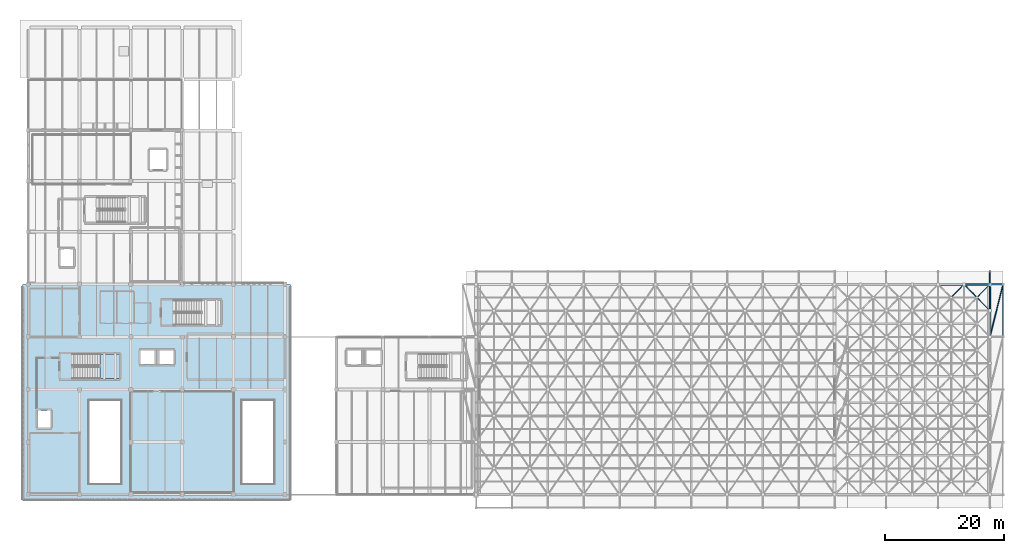
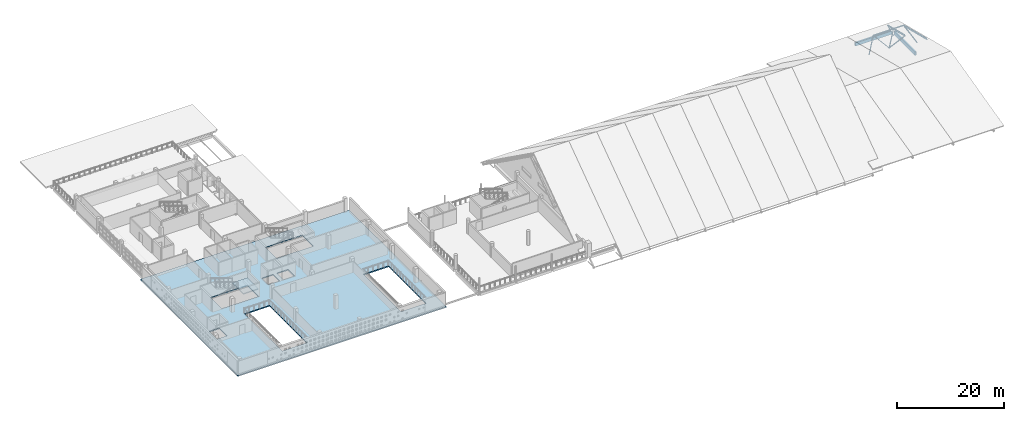
# One storey, part 33 of 55: 11 members, 2 beams, 2 slabs, 1 element without a shape of its own.
"""IFC4 building model written with IfcOpenShell, lengths in metres."""

from ifc_helpers import new_model, si_unit, direction, frame, origin, origin_2d, place, context, subcontext, project, spatial, polyline, rectangle, hollow_rectangle, hollow_circle, i_section, outline, extrude, material, layer, layer_set, material_profile, profile_set, type_object, element, aggregate, save


model = new_model("IFC4")

# Units and contexts
model_context = context("Model", 3, precision=1e-05, world=origin(), true_north=direction((0.0, 1.0)))
body_context = subcontext(model_context, "Body", "Model", "MODEL_VIEW")
ifc_project = project(units=[si_unit("LENGTHUNIT", "METRE"), si_unit("AREAUNIT", "SQUARE_METRE"), si_unit("VOLUMEUNIT", "CUBIC_METRE"), si_unit("PLANEANGLEUNIT", "RADIAN"), si_unit("MASSUNIT", "GRAM", prefix="KILO")], contexts=[model_context])

# Site, building, storey
site_placement = place(None, origin())
site = spatial("IfcSite", under=ifc_project, at=site_placement, CompositionType="ELEMENT")
building_placement = place(site_placement, origin())
building = spatial("IfcBuilding", under=site, at=building_placement, Name="Varnakota Cinema and Media Centre", CompositionType="ELEMENT")
storey_placement = place(building_placement, frame((0.0, 0.0, 15.60009765625)))
storey = spatial("IfcBuildingStorey", under=building, at=storey_placement, Name="L04", CompositionType="ELEMENT", Elevation=15.60009765625)

# Beams
ifc_material_1 = material(Name="Concrete M40", Category="concrete")
ifc_material_profile_1 = material_profile(ifc_material_1, rectangle(XDim=0.35009765625, YDim=0.75, at=origin_2d()), Name="RCB 350x750")
ifc_profile_set_1 = profile_set([ifc_material_profile_1], Name="Concrete M40")
beam_type = type_object("IfcBeamType", Name="BM-SP-350x750", PredefinedType="SPANDREL", material=ifc_profile_set_1)
beam_1_placement = place(storey_placement, frame((152.72509765625, 35.199951171875, -0.375), z_axis=(1.0, 0.0, 0.0), x_axis=(0.0, 1.0, 0.0)))
element("IfcBeam", 1, at=beam_1_placement, inside=storey, type_object=beam_type, Name="L04 girder X-Y/5", PredefinedType="SPANDREL", context=body_context, shape_type="SweptSolid", body=[
    extrude(rectangle(XDim=0.35009765625, YDim=0.75, at=origin_2d()), origin(), (0.0, 0.0, 1.0), 7.849853515625),
])
beam_2_placement = place(storey_placement, frame((161.0, 26.875, -0.375), z_axis=(0.0, 1.0, 0.0), x_axis=(-1.0, 0.0, 0.0)))
element("IfcBeam", 2, at=beam_2_placement, inside=storey, type_object=beam_type, Name="L04 girder Y/4-5", PredefinedType="SPANDREL", context=body_context, shape_type="SweptSolid", body=[
    extrude(rectangle(XDim=0.35009765625, YDim=0.75, at=origin_2d()), origin(), (0.0, 0.0, 1.0), 7.85009765625),
])

# Members
ifc_material_2 = material(Name="Structural steel S355 (YSt 355)", Category="steel")
ifc_material_profile_2 = material_profile(ifc_material_2, hollow_circle(Radius=0.06982421875, WallThickness=0.006103515625, at=origin_2d()), Name="CHS 139.7x6.0")
ifc_profile_set_2 = profile_set([ifc_material_profile_2], Name="Structural steel S355 (YSt 355)")
member_type_1 = type_object("IfcMemberType", Name="MEM-ST-CHS139_7x6_0", PredefinedType="CHORD", material=ifc_profile_set_2)
member_1_placement = place(storey_placement, frame((154.5, 33.0, -2.050048828125), z_axis=(0.562747911139, 0.571371428425, 0.597368796714), x_axis=(-0.712462822052, 0.701709859695, 0.0)))
element("IfcMember", 3, at=member_1_placement, inside=storey, type_object=member_type_1, Name="V2 space-truss diagonal 5.8.4", PredefinedType="CHORD", context=body_context, shape_type="SweptSolid", body=[
    extrude(hollow_circle(Radius=0.06982421875, WallThickness=0.006103515625, at=origin_2d()), origin(), (0.0, 0.0, 1.0), 3.850341796875),
])
member_2_placement = place(storey_placement, frame((158.833251953125, 33.0, -2.050048828125), z_axis=(0.47176941823, -0.478998786216, 0.74026601896), x_axis=(0.712462822052, 0.701709859695, 0.0)))
element("IfcMember", 4, at=member_2_placement, inside=storey, type_object=member_type_1, Name="V2 space-truss diagonal 6.8.2", PredefinedType="CHORD", context=body_context, shape_type="SweptSolid", body=[
    extrude(hollow_circle(Radius=0.06982421875, WallThickness=0.006103515625, at=origin_2d()), origin(), (0.0, 0.0, 1.0), 4.5927734375),
])
member_3_placement = place(storey_placement, frame((158.833251953125, 33.0, -2.050048828125), z_axis=(0.562747911139, 0.571371428425, 0.597368796714), x_axis=(-0.712462822052, 0.701709859695, 0.0)))
element("IfcMember", 5, at=member_3_placement, inside=storey, type_object=member_type_1, Name="V2 space-truss diagonal 6.8.4", PredefinedType="CHORD", context=body_context, shape_type="SweptSolid", body=[
    extrude(hollow_circle(Radius=0.06982421875, WallThickness=0.006103515625, at=origin_2d()), origin(), (0.0, 0.0, 1.0), 3.850341796875),
])
member_4_placement = place(storey_placement, frame((161.0, 35.199951171875, -1.25), z_axis=(0.0, 0.918066567186, 0.396426258231), x_axis=(-1.0, 0.0, 0.0)))
element("IfcMember", 6, at=member_4_placement, inside=storey, type_object=member_type_1, Name="V2 N eave raking strut 3", PredefinedType="CHORD", context=body_context, shape_type="SweptSolid", body=[
    extrude(hollow_circle(Radius=0.06982421875, WallThickness=0.006103515625, at=origin_2d()), origin(), (0.0, 0.0, 1.0), 2.396240234375),
])
member_5_placement = place(storey_placement, frame((161.0, 26.39990234375, 2.449951171875), z_axis=(0.235696447825, 0.942811947827, -0.235696447825), x_axis=(-0.970144083348, 0.242529292136, 0.0)))
element("IfcMember", 7, at=member_5_placement, inside=storey, type_object=member_type_1, Name="V2 East gable diagonal strut 4", PredefinedType="CHORD", context=body_context, shape_type="SweptSolid", body=[
    extrude(hollow_circle(Radius=0.06982421875, WallThickness=0.006103515625, at=origin_2d()), origin(), (0.0, 0.0, 1.0), 9.333740234375),
])
ifc_material_3 = material(Name="Structural steel Grade 350 (E350)", Category="steel")
ifc_material_profile_3 = material_profile(ifc_material_3, i_section(OverallWidth=0.139892578125, OverallDepth=0.35009765625, WebThickness=0.008056640625, FlangeThickness=0.01416015625, FilletRadius=0.013916015625, at=origin_2d()), Name="ISMB 350")
ifc_profile_set_3 = profile_set([ifc_material_profile_3], Name="Structural steel Grade 350 (E350)")
member_type_2 = type_object("IfcMemberType", Name="MEM-ST-ISMB350", PredefinedType="RAFTER", material=ifc_profile_set_3)
member_6_placement = place(storey_placement, frame((161.0, 35.199951171875, 0.25), z_axis=(0.0, 0.970136166796, -0.242560957029), x_axis=(-1.0, 0.0, 0.0)))
element("IfcMember", 8, at=member_6_placement, inside=storey, type_object=member_type_2, Name="V2 N eave overhang rafter 3", PredefinedType="RAFTER", context=body_context, shape_type="SweptSolid", body=[
    extrude(i_section(OverallWidth=0.139892578125, OverallDepth=0.35009765625, WebThickness=0.008056640625, FlangeThickness=0.01416015625, FilletRadius=0.013916015625, at=origin_2d()), origin(), (0.0, 0.0, 1.0), 2.267578125),
])
ifc_material_4 = material(Name="Structural steel Grade 350 (E350)", Category="steel")
ifc_material_profile_4 = material_profile(ifc_material_4, i_section(OverallWidth=0.139892578125, OverallDepth=0.39990234375, WebThickness=0.0087890625, FlangeThickness=0.01611328125, FilletRadius=0.013916015625, at=origin_2d()), Name="ISMB 400")
ifc_profile_set_4 = profile_set([ifc_material_profile_4], Name="Structural steel Grade 350 (E350)")
member_type_3 = type_object("IfcMemberType", Name="MEM-ST-ISMB400", PredefinedType="RAFTER", material=ifc_profile_set_4)
member_7_placement = place(storey_placement, frame((161.0, 30.800048828125, 1.349853515625), z_axis=(0.0, 0.970148832916, -0.242510292547), x_axis=(-1.0, 0.0, 0.0)))
element("IfcMember", 9, at=member_7_placement, inside=storey, type_object=member_type_3, Name="V2 truss rafter 7.8", PredefinedType="RAFTER", context=body_context, shape_type="SweptSolid", body=[
    extrude(i_section(OverallWidth=0.139892578125, OverallDepth=0.39990234375, WebThickness=0.0087890625, FlangeThickness=0.01611328125, FilletRadius=0.013916015625, at=origin_2d()), origin(), (0.0, 0.0, 1.0), 4.535400390625),
])
member_8_placement = place(storey_placement, frame((163.199951171875, 26.39990234375, 2.449951171875), z_axis=(0.0, 0.970144083348, -0.242529292136), x_axis=(-1.0, 0.0, 0.0)))
element("IfcMember", 10, at=member_8_placement, inside=storey, type_object=member_type_3, Name="V2 East gable barge rafter 4", PredefinedType="RAFTER", context=body_context, shape_type="SweptSolid", body=[
    extrude(i_section(OverallWidth=0.139892578125, OverallDepth=0.39990234375, WebThickness=0.0087890625, FlangeThickness=0.01611328125, FilletRadius=0.013916015625, at=origin_2d()), origin(), (0.0, 0.0, 1.0), 9.07080078125),
])
ifc_material_5 = material(Name="Structural steel S355 (YSt 355)", Category="steel")
ifc_material_profile_5 = material_profile(ifc_material_5, hollow_rectangle(XDim=0.14990234375, YDim=0.25, WallThickness=0.008056640625, InnerFilletRadius=0.008056640625, OuterFilletRadius=0.01611328125, at=origin_2d()), Name="RHS 250x150x8")
ifc_profile_set_5 = profile_set([ifc_material_profile_5], Name="Structural steel S355 (YSt 355)")
member_type_4 = type_object("IfcMemberType", Name="MEM-ST-RHS250x150x8", PredefinedType="PURLIN", material=ifc_profile_set_5)
member_9_placement = place(storey_placement, frame((156.666748046875, 35.199951171875, 0.25), z_axis=(1.0, 0.0, 0.0), x_axis=(0.0, 1.0, 0.0)))
element("IfcMember", 11, at=member_9_placement, inside=storey, type_object=member_type_4, Name="V2 top chord 6.9", PredefinedType="PURLIN", context=body_context, shape_type="SweptSolid", body=[
    extrude(hollow_rectangle(XDim=0.14990234375, YDim=0.25, WallThickness=0.008056640625, InnerFilletRadius=0.008056640625, OuterFilletRadius=0.01611328125, at=origin_2d()), origin(), (0.0, 0.0, 1.0), 4.333251953125),
])
member_10_placement = place(storey_placement, frame((161.0, 35.199951171875, 0.25), z_axis=(1.0, 0.0, 0.0), x_axis=(0.0, 1.0, 0.0)))
element("IfcMember", 12, at=member_10_placement, inside=storey, type_object=member_type_4, Name="V2 East gable space-truss outrigger 5", PredefinedType="PURLIN", context=body_context, shape_type="SweptSolid", body=[
    extrude(hollow_rectangle(XDim=0.14990234375, YDim=0.25, WallThickness=0.008056640625, InnerFilletRadius=0.008056640625, OuterFilletRadius=0.01611328125, at=origin_2d()), origin(), (0.0, 0.0, 1.0), 2.199951171875),
])
ifc_material_6 = material(Name="Structural steel S355 (YSt 355)", Category="steel")
ifc_material_profile_6 = material_profile(ifc_material_6, hollow_rectangle(XDim=0.1201171875, YDim=0.1201171875, WallThickness=0.006103515625, InnerFilletRadius=0.006103515625, OuterFilletRadius=0.011962890625, at=origin_2d()), Name="SHS 120x120x6")
ifc_profile_set_6 = profile_set([ifc_material_profile_6], Name="Structural steel S355 (YSt 355)")
member_type_5 = type_object("IfcMemberType", Name="MEM-ST-SHS120x120x6", PredefinedType="STRUT", material=ifc_profile_set_6)
member_11_placement = place(storey_placement, frame((158.833251953125, 33.0, -2.050048828125), z_axis=(-0.562704581049, 0.571391816523, 0.59739011247), x_axis=(-0.712502351494, -0.701669722246, 0.0)))
element("IfcMember", 13, at=member_11_placement, inside=storey, type_object=member_type_5, Name="V2 space-truss diagonal 6.8.3", PredefinedType="STRUT", context=body_context, shape_type="SweptSolid", body=[
    extrude(hollow_rectangle(XDim=0.1201171875, YDim=0.1201171875, WallThickness=0.006103515625, InnerFilletRadius=0.006103515625, OuterFilletRadius=0.011962890625, at=origin_2d()), origin(), (0.0, 0.0, 1.0), 3.85009765625),
])

# Slab
ifc_material_7 = material(Name="Concrete M35", Category="concrete")
ifc_layer_1 = layer(ifc_material_7, 0.25)
ifc_layer_set_1 = layer_set([ifc_layer_1], Name="Concrete M35")
slab_type_1 = type_object("IfcSlabType", Name="SLB-FLR-250", PredefinedType="FLOOR", material=ifc_layer_set_1)
slab_1_placement = place(storey_placement, frame((0.0, 0.0, -0.25)))
element("IfcSlab", 14, at=slab_1_placement, inside=storey, type_object=slab_type_1, Name="L04 V4 floor slab", PredefinedType="FLOOR", context=body_context, shape_type="SweptSolid", body=[
    extrude(outline(polyline([(-0.949951171875, -0.949951171875), (43.949951171875, -0.949951171875), (43.949951171875, 35.199951171875), (-0.949951171875, 35.199951171875), (-0.949951171875, -0.949951171875)]), holes=[polyline([(10.199951171875, 1.800048828125), (15.60009765625, 1.800048828125), (15.60009765625, 15.800048828125), (10.199951171875, 15.800048828125), (10.199951171875, 1.800048828125)]), polyline([(35.800048828125, 1.800048828125), (41.199951171875, 1.800048828125), (41.199951171875, 15.800048828125), (35.800048828125, 15.800048828125), (35.800048828125, 1.800048828125)]), polyline([(7.39990234375, 19.39990234375), (15.280029296875, 19.39990234375), (15.280029296875, 23.550048828125), (7.39990234375, 23.550048828125), (7.39990234375, 19.39990234375)]), polyline([(24.39990234375, 28.39990234375), (32.280029296875, 28.39990234375), (32.280029296875, 32.550048828125), (24.39990234375, 32.550048828125), (24.39990234375, 28.39990234375)]), polyline([(1.60009765625, 11.199951171875), (3.800048828125, 11.199951171875), (3.800048828125, 14.10009765625), (1.60009765625, 14.10009765625), (1.60009765625, 11.199951171875)]), polyline([(18.800048828125, 21.800048828125), (21.199951171875, 21.800048828125), (21.199951171875, 24.199951171875), (18.800048828125, 24.199951171875), (18.800048828125, 21.800048828125)]), polyline([(22.0, 21.800048828125), (24.39990234375, 21.800048828125), (24.39990234375, 24.199951171875), (22.0, 24.199951171875), (22.0, 21.800048828125)])]), origin(), (0.0, 0.0, 1.0), 0.25),
])

# Stair, slab
ifc_material_8 = material(Name="Concrete M35", Category="concrete")
stair_type = type_object("IfcStairType", Name="STR-CORE-ST-01-2000", PredefinedType="HALF_TURN_STAIR", material=ifc_material_8)
stair_placement = place(storey_placement, origin())
stair = element("IfcStair", 15, at=stair_placement, inside=storey, type_object=stair_type, Name="L04 West Firefighting Stair 1", PredefinedType="HALF_TURN_STAIR")
ifc_material_9 = material(Name="Concrete M35", Category="concrete")
ifc_layer_2 = layer(ifc_material_9, 0.199951171875)
ifc_layer_set_2 = layer_set([ifc_layer_2], Name="Concrete M35")
slab_type_2 = type_object("IfcSlabType", Name="SLB-LAND-ST-01", PredefinedType="LANDING", material=ifc_layer_set_2)
slab_2_placement = place(storey_placement, frame((0.0, 0.0, 1.52490234375)))
slab_2 = element("IfcSlab", 16, at=slab_2_placement, type_object=slab_type_2, Name="ST-01 landing 1", PredefinedType="LANDING", context=body_context, shape_type="SweptSolid", body=[
    extrude(outline(polyline([(12.02001953125, 19.39990234375), (15.280029296875, 19.39990234375), (15.280029296875, 23.550048828125), (12.02001953125, 23.550048828125), (12.02001953125, 19.39990234375)])), origin(), (0.0, 0.0, 1.0), 0.199951171875),
])
aggregate(stair, [slab_2])

save(model, "model.ifc")
